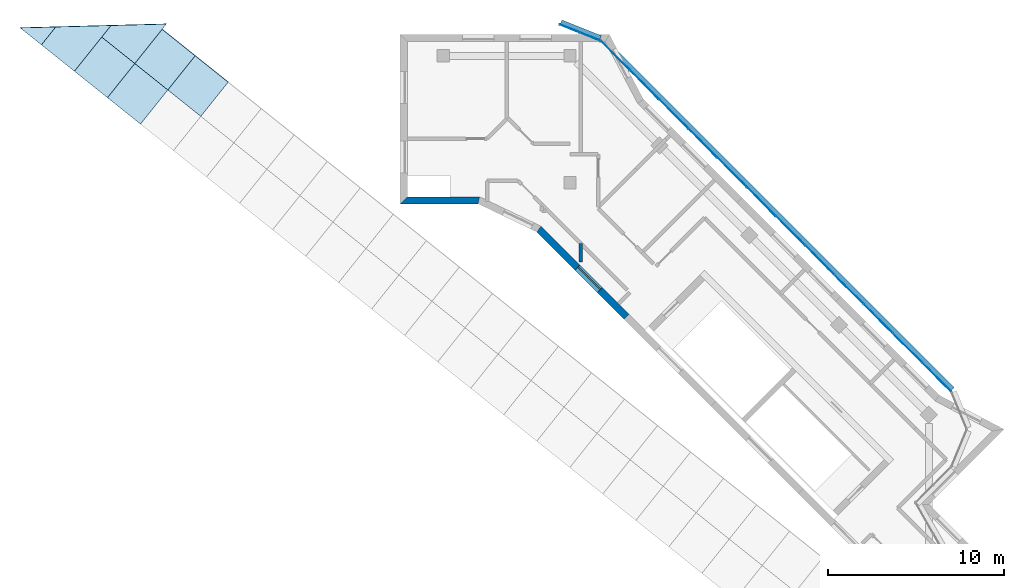
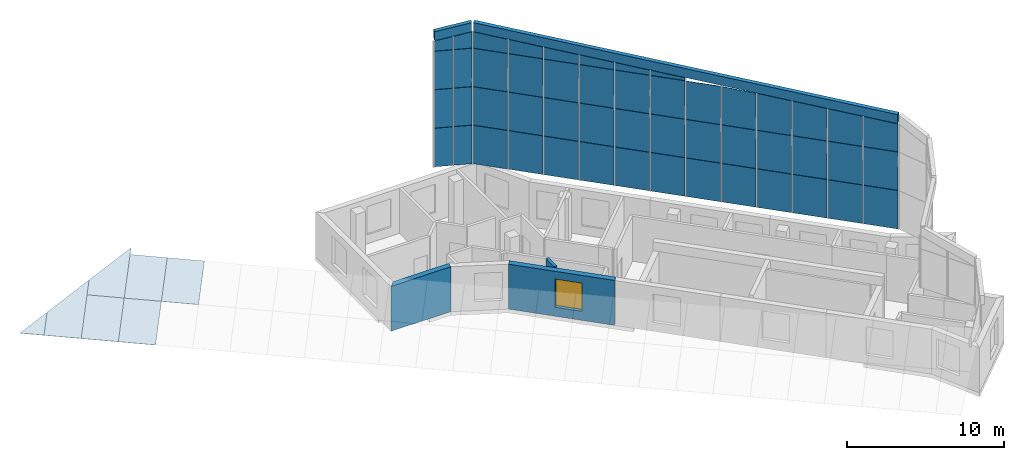
# One storey, part 7 of 9: 59 plates, 3 walls, 1 window, 1 opening, 2 elements without a shape of their own.
"""IFC4 building model written with IfcOpenShell, lengths in metres."""

from ifc_helpers import new_model, si_unit, direction, frame, frame_2d, origin, place, context, subcontext, project, spatial, polyline, rectangle, outline, extrude, material, layer, layer_set, type_object, element, fill, aggregate, save


model = new_model("IFC4")

# Units and contexts
model_context = context("Model", 3, precision=1e-05, world=origin(), true_north=direction((0.0, 1.0)))
body_context = subcontext(model_context, "Body", "Model", "MODEL_VIEW")
ifc_project = project(units=[si_unit("LENGTHUNIT", "METRE"), si_unit("AREAUNIT", "SQUARE_METRE"), si_unit("VOLUMEUNIT", "CUBIC_METRE"), si_unit("PLANEANGLEUNIT", "RADIAN"), si_unit("MASSUNIT", "GRAM", prefix="KILO")], contexts=[model_context])

# Site, building, storey
site_placement = place(None, origin())
site = spatial("IfcSite", under=ifc_project, at=site_placement, CompositionType="ELEMENT")
building_placement = place(site_placement, origin())
building = spatial("IfcBuilding", under=site, at=building_placement, Name="Windrow Commons", CompositionType="ELEMENT")
storey_placement = place(building_placement, frame((0.0, 0.0, 309.6)))
storey = spatial("IfcBuildingStorey", under=building, at=storey_placement, Name="L84", CompositionType="ELEMENT", Elevation=309.6)

# Plates
ifc_material_1 = material(Name="Precast concrete C40/50", Category="concrete")
ifc_layer_1 = layer(ifc_material_1, 0.3)
ifc_layer_set_1 = layer_set([ifc_layer_1], Name="Crown eave fascia 300")
plate_type_1 = type_object("IfcPlateType", Name="Crown eave fascia 300", PredefinedType="SHEET", material=ifc_layer_set_1)
plate_1_placement = place(storey_placement, frame((78.6354, 73.7518, 13.3242), z_axis=(-0.3704956456, -0.9288342029, 0.0), x_axis=(0.9114587891, -0.3635648983, 0.1925186758)))
element("IfcPlate", 1, at=plate_1_placement, inside=storey, type_object=plate_type_1, Name="Crown eave fascia", PredefinedType="SHEET", context=body_context, shape_type="SweptSolid", body=[
    extrude(outline(polyline([(0.0, 0.0), (2.4543, 0.0), (2.5891, 0.6869), (0.1348, 0.6869), (0.0, 0.0)])), origin(), (0.0, 0.0, -1.0), 0.3),
])
plate_2_placement = place(storey_placement, frame((80.9542, 72.8056, 13.8028), z_axis=(-0.7071067812, -0.7071067812, 0.0), x_axis=(0.7051532778, -0.7051532778, -0.0742812874)))
element("IfcPlate", 2, at=plate_2_placement, inside=storey, type_object=plate_type_1, Name="Crown eave fascia", PredefinedType="SHEET", context=body_context, shape_type="SweptSolid", body=[
    extrude(outline(polyline([(0.0, 0.0), (28.1336, 0.0), (28.0816, 0.6981), (-0.052, 0.6981), (0.0, 0.0)])), origin(), (0.0, 0.0, -1.0), 0.3),
])
ifc_material_2 = material(Name="Laminated glass in aluminium frame", Category="aluminium")
ifc_layer_2 = layer(ifc_material_2, 0.04)
ifc_layer_set_2 = layer_set([ifc_layer_2], Name="Crown glazing panel 2400x3000")
plate_type_2 = type_object("IfcPlateType", Name="Crown glazing panel 2400x3000", PredefinedType="SHEET", material=ifc_layer_set_2)
plate_3_placement = place(storey_placement, frame((54.8225, 68.1196, 1.3736), z_axis=(-0.349330801, -0.4366576763, 0.8290344174), x_axis=(-0.7808647444, 0.6247001288, 0.0)))
element("IfcPlate", 3, at=plate_3_placement, inside=storey, type_object=plate_type_2, Name="Crown glazing 202", PredefinedType="SHEET", context=body_context, shape_type="SweptSolid", body=[
    extrude(outline(polyline([(0.0, 0.0), (2.4, 0.0), (2.4, -3.0), (0.0, -3.0), (0.0, 0.0)])), origin(), (0.0, 0.0, -1.0), 0.04),
])
plate_4_placement = place(storey_placement, frame((52.9484, 69.6189, 1.3736), z_axis=(-0.3493165936, -0.4366690422, 0.8290344173), x_axis=(-0.7808850696, 0.6246747219, 0.0)))
element("IfcPlate", 4, at=plate_4_placement, inside=storey, type_object=plate_type_2, Name="Crown glazing 203", PredefinedType="SHEET", context=body_context, shape_type="SweptSolid", body=[
    extrude(outline(polyline([(0.0, 0.0), (2.4, 0.0), (2.3999, -3.0), (-0.0001, -3.0), (0.0, 0.0)])), origin(), (0.0, 0.0, -1.0), 0.04),
])
plate_5_placement = place(storey_placement, frame((50.0182, 73.6399, 2.2568), z_axis=(-0.3493350911, -0.4366328202, 0.8290457011), x_axis=(-0.5179007438, -0.6473759297, -0.559180852)))
element("IfcPlate", 5, at=plate_5_placement, inside=storey, type_object=plate_type_2, Name="Crown glazing 204", PredefinedType="SHEET", context=body_context, shape_type="SweptSolid", body=[
    extrude(outline(polyline([(0.0, 0.0), (1.5795, 0.0), (1.5794, -1.5514), (0.0, 0.0)])), origin(), (0.0, 0.0, -1.0), 0.04),
])
for number, where, z_axis, x_axis, name in (
    (6, (58.2503, 68.5624, 3.0512), (-0.3493164888, -0.4366397863, 0.8290498704), (-0.7808647444, 0.6247001288, 0.0), "Crown glazing 226"),
    (7, (56.3762, 70.0617, 3.0512), (-0.3493164888, -0.4366397863, 0.8290498704), (-0.7808647444, 0.6247001288, 0.0), "Crown glazing 227"),
):
    element("IfcPlate", number, at=place(storey_placement, frame(where, z_axis=z_axis, x_axis=x_axis)), inside=storey, type_object=plate_type_2, Name=name, PredefinedType="SHEET", context=body_context, shape_type="SweptSolid", body=[
        extrude(outline(polyline([(0.0, 0.0), (2.4, 0.0), (2.4, -3.0), (0.0, -3.0), (0.0, 0.0)])), origin(), (0.0, 0.0, -1.0), 0.04),
    ])
plate_6_placement = place(storey_placement, frame((51.0743, 71.1181, 1.3736), z_axis=(-0.3493223249, -0.4366450652, 0.8290446311), x_axis=(-0.7808643045, 0.6247006787, -1.0441e-06)))
element("IfcPlate", 8, at=plate_6_placement, inside=storey, type_object=plate_type_2, Name="Crown glazing 351", PredefinedType="SHEET", context=body_context, shape_type="SweptSolid", body=[
    extrude(outline(polyline([(0.0, 0.0), (2.4, 0.0), (2.4, -1.5795), (0.0001, -4.0228), (0.0, 0.0)])), origin(), (0.0, 0.0, -1.0), 0.04),
])
plate_7_placement = place(storey_placement, frame((54.5021, 71.561, 3.0512), z_axis=(-0.3493137774, -0.4366391701, 0.8290513374), x_axis=(-0.7808793195, 0.6246819096, -1.36472e-05)))
element("IfcPlate", 9, at=plate_7_placement, inside=storey, type_object=plate_type_2, Name="Crown glazing 352", PredefinedType="SHEET", context=body_context, shape_type="SweptSolid", body=[
    extrude(outline(polyline([(0.0, 0.0), (2.4, 0.0), (2.4, -1.0228), (-0.0001, -3.4661), (0.0, 0.0)])), origin(), (0.0, 0.0, -1.0), 0.04),
])

# Curtain wall, plates
ifc_material_3 = material(Name="Laminated glass in anodised aluminium frame", Category="aluminium")
curtain_wall_type = type_object("IfcCurtainWallType", Name="Curtain wall crown terrace screen", PredefinedType="USERDEFINED", material=ifc_material_3)
placement = place(storey_placement, origin())
curtain_wall_1 = element("IfcCurtainWall", 10, at=placement, inside=storey, type_object=curtain_wall_type, Name="Glazed crown screen L84", ObjectType="STICK", PredefinedType="USERDEFINED")
ifc_material_4 = material(Name="Laminated glass in aluminium frame", Category="aluminium")
ifc_layer_3 = layer(ifc_material_4, 0.03)
ifc_layer_set_3 = layer_set([ifc_layer_3], Name="Crown screen glazing 2400")
plate_type_3 = type_object("IfcPlateType", Name="Crown screen glazing 2400", PredefinedType="SHEET", material=ifc_layer_set_3)
plate_8_placement = place(storey_placement, frame((78.6168, 73.7592, 3.5), z_axis=(-0.3704664631, -0.9288458428, 0.0), x_axis=(0.9288458428, -0.3704664631, 0.0)))
plate_8 = element("IfcPlate", 11, at=plate_8_placement, type_object=plate_type_3, Name="Crown screen glazing L84", PredefinedType="SHEET", context=body_context, shape_type="SweptSolid", body=[
    extrude(outline(polyline([(0.0, 0.0), (1.1942, 0.0), (1.1942, 3.0), (0.0, 3.0), (0.0, 0.0)])), origin(), (0.0, 0.0, -1.0), 0.03),
])
plate_9_placement = place(storey_placement, frame((78.6168, 73.7592, 6.52), z_axis=(-0.3704664631, -0.9288458428, 0.0), x_axis=(0.9288458428, -0.3704664631, 0.0)))
plate_9 = element("IfcPlate", 12, at=plate_9_placement, type_object=plate_type_3, Name="Crown screen glazing L84", PredefinedType="SHEET", context=body_context, shape_type="SweptSolid", body=[
    extrude(outline(polyline([(0.0, 0.0), (1.1942, 0.0), (1.1942, 2.98), (0.0, 2.98), (0.0, 0.0)])), origin(), (0.0, 0.0, -1.0), 0.03),
])
plate_10_placement = place(storey_placement, frame((78.6168, 73.7592, 9.52), z_axis=(-0.3704664631, -0.9288458428, 0.0), x_axis=(0.9288458428, -0.3704664631, 0.0)))
plate_10 = element("IfcPlate", 13, at=plate_10_placement, type_object=plate_type_3, Name="Crown screen glazing L84", PredefinedType="SHEET", context=body_context, shape_type="SweptSolid", body=[
    extrude(outline(polyline([(0.0, 0.0), (1.1942, 0.0), (1.1942, 2.98), (0.0, 2.98), (0.0, 0.0)])), origin(), (0.0, 0.0, -1.0), 0.03),
])
plate_11_placement = place(storey_placement, frame((78.6168, 73.7592, 12.52), z_axis=(-0.3704664631, -0.9288458428, 0.0), x_axis=(0.9288458428, -0.3704664631, 0.0)))
plate_11 = element("IfcPlate", 14, at=plate_11_placement, type_object=plate_type_3, Name="Crown screen glazing L84", PredefinedType="SHEET", context=body_context, shape_type="SweptSolid", body=[
    extrude(outline(polyline([(0.0, 0.0), (1.1942, 0.0), (1.1942, 1.0205), (0.0, 0.7744), (0.0, 0.0)])), origin(), (0.0, 0.0, -1.0), 0.03),
])
plate_12_placement = place(storey_placement, frame((79.7817, 73.2946, 3.5), z_axis=(-0.3705387069, -0.9288170254, 0.0), x_axis=(0.9288170254, -0.3705387069, 0.0)))
plate_12 = element("IfcPlate", 15, at=plate_12_placement, type_object=plate_type_3, Name="Crown screen glazing L84", PredefinedType="SHEET", context=body_context, shape_type="SweptSolid", body=[
    extrude(outline(polyline([(0.0, 0.0), (1.1942, 0.0), (1.1942, 3.0), (0.0, 3.0), (0.0, 0.0)])), origin(), (0.0, 0.0, -1.0), 0.03),
])
plate_13_placement = place(storey_placement, frame((79.7817, 73.2946, 6.52), z_axis=(-0.3705387069, -0.9288170254, 0.0), x_axis=(0.9288170254, -0.3705387069, 0.0)))
plate_13 = element("IfcPlate", 16, at=plate_13_placement, type_object=plate_type_3, Name="Crown screen glazing L84", PredefinedType="SHEET", context=body_context, shape_type="SweptSolid", body=[
    extrude(outline(polyline([(0.0, 0.0), (1.1942, 0.0), (1.1942, 2.98), (0.0, 2.98), (0.0, 0.0)])), origin(), (0.0, 0.0, -1.0), 0.03),
])
plate_14_placement = place(storey_placement, frame((79.7817, 73.2946, 9.52), z_axis=(-0.3705387069, -0.9288170254, 0.0), x_axis=(0.9288170254, -0.3705387069, 0.0)))
plate_14 = element("IfcPlate", 17, at=plate_14_placement, type_object=plate_type_3, Name="Crown screen glazing L84", PredefinedType="SHEET", context=body_context, shape_type="SweptSolid", body=[
    extrude(outline(polyline([(0.0, 0.0), (1.1942, 0.0), (1.1942, 2.98), (0.0, 2.98), (0.0, 0.0)])), origin(), (0.0, 0.0, -1.0), 0.03),
])
plate_15_placement = place(storey_placement, frame((79.7817, 73.2946, 12.52), z_axis=(-0.3705387069, -0.9288170254, 0.0), x_axis=(0.9288170254, -0.3705387069, 0.0)))
plate_15 = element("IfcPlate", 18, at=plate_15_placement, type_object=plate_type_3, Name="Crown screen glazing L84", PredefinedType="SHEET", context=body_context, shape_type="SweptSolid", body=[
    extrude(outline(polyline([(0.0, 0.0), (1.1942, 0.0), (1.1942, 1.2665), (0.0, 1.0205), (0.0, 0.0)])), origin(), (0.0, 0.0, -1.0), 0.03),
])
aggregate(curtain_wall_1, [plate_8, plate_9, plate_10, plate_11, plate_12, plate_13, plate_14, plate_15])

curtain_wall_2 = element("IfcCurtainWall", 19, at=placement, inside=storey, type_object=curtain_wall_type, Name="Glazed crown screen L84", ObjectType="STICK", PredefinedType="USERDEFINED")
plate_16_placement = place(storey_placement, frame((80.94, 72.8198, 3.5), z_axis=(-0.7071067812, -0.7071067812, 0.0), x_axis=(0.7071067812, -0.7071067812, 0.0)))
plate_16 = element("IfcPlate", 20, at=plate_16_placement, type_object=plate_type_3, Name="Crown screen glazing L84", PredefinedType="SHEET", context=body_context, shape_type="SweptSolid", body=[
    extrude(outline(polyline([(0.0, 0.0), (2.2864, 0.0), (2.2864, 3.0), (0.0, 3.0), (0.0, 0.0)])), origin(), (0.0, 0.0, -1.0), 0.03),
])
plate_17_placement = place(storey_placement, frame((80.94, 72.8198, 6.52), z_axis=(-0.7071067812, -0.7071067812, 0.0), x_axis=(0.7071067812, -0.7071067812, 0.0)))
plate_17 = element("IfcPlate", 21, at=plate_17_placement, type_object=plate_type_3, Name="Crown screen glazing L84", PredefinedType="SHEET", context=body_context, shape_type="SweptSolid", body=[
    extrude(outline(polyline([(0.0, 0.0), (2.2864, 0.0), (2.2864, 2.98), (0.0, 2.98), (0.0, 0.0)])), origin(), (0.0, 0.0, -1.0), 0.03),
])
plate_18_placement = place(storey_placement, frame((80.94, 72.8198, 9.52), z_axis=(-0.7071067812, -0.7071067812, 0.0), x_axis=(0.7071067812, -0.7071067812, 0.0)))
plate_18 = element("IfcPlate", 22, at=plate_18_placement, type_object=plate_type_3, Name="Crown screen glazing L84", PredefinedType="SHEET", context=body_context, shape_type="SweptSolid", body=[
    extrude(outline(polyline([(0.0, 0.0), (2.2864, 0.0), (2.2864, 2.98), (0.0, 2.98), (0.0, 0.0)])), origin(), (0.0, 0.0, -1.0), 0.03),
])
plate_19_placement = place(storey_placement, frame((80.94, 72.8198, 12.52), z_axis=(-0.7071067812, -0.7071067812, 0.0), x_axis=(0.7071067812, -0.7071067812, 0.0)))
plate_19 = element("IfcPlate", 23, at=plate_19_placement, type_object=plate_type_3, Name="Crown screen glazing L84", PredefinedType="SHEET", context=body_context, shape_type="SweptSolid", body=[
    extrude(outline(polyline([(0.0, 0.0), (2.2864, 0.0), (2.2864, 1.0918), (0.0, 1.2665), (0.0, 0.0)])), origin(), (0.0, 0.0, -1.0), 0.03),
])
plate_20_placement = place(storey_placement, frame((82.5991, 71.1607, 3.5), z_axis=(-0.7071067812, -0.7071067812, 0.0), x_axis=(0.7071067812, -0.7071067812, 0.0)))
plate_20 = element("IfcPlate", 24, at=plate_20_placement, type_object=plate_type_3, Name="Crown screen glazing L84", PredefinedType="SHEET", context=body_context, shape_type="SweptSolid", body=[
    extrude(outline(polyline([(0.0, 0.0), (2.2864, 0.0), (2.2864, 3.0), (0.0, 3.0), (0.0, 0.0)])), origin(), (0.0, 0.0, -1.0), 0.03),
])
plate_21_placement = place(storey_placement, frame((82.5991, 71.1607, 6.52), z_axis=(-0.7071067812, -0.7071067812, 0.0), x_axis=(0.7071067812, -0.7071067812, 0.0)))
plate_21 = element("IfcPlate", 25, at=plate_21_placement, type_object=plate_type_3, Name="Crown screen glazing L84", PredefinedType="SHEET", context=body_context, shape_type="SweptSolid", body=[
    extrude(outline(polyline([(0.0, 0.0), (2.2864, 0.0), (2.2864, 2.98), (0.0, 2.98), (0.0, 0.0)])), origin(), (0.0, 0.0, -1.0), 0.03),
])
plate_22_placement = place(storey_placement, frame((82.5991, 71.1607, 9.52), z_axis=(-0.7071067812, -0.7071067812, 0.0), x_axis=(0.7071067812, -0.7071067812, 0.0)))
plate_22 = element("IfcPlate", 26, at=plate_22_placement, type_object=plate_type_3, Name="Crown screen glazing L84", PredefinedType="SHEET", context=body_context, shape_type="SweptSolid", body=[
    extrude(outline(polyline([(0.0, 0.0), (2.2864, 0.0), (2.2864, 2.98), (0.0, 2.98), (0.0, 0.0)])), origin(), (0.0, 0.0, -1.0), 0.03),
])
plate_23_placement = place(storey_placement, frame((82.5991, 71.1607, 12.52), z_axis=(-0.7071067812, -0.7071067812, 0.0), x_axis=(0.7071067812, -0.7071067812, 0.0)))
plate_23 = element("IfcPlate", 27, at=plate_23_placement, type_object=plate_type_3, Name="Crown screen glazing L84", PredefinedType="SHEET", context=body_context, shape_type="SweptSolid", body=[
    extrude(outline(polyline([(0.0, 0.0), (2.2864, 0.0), (2.2864, 0.917), (0.0, 1.0918), (0.0, 0.0)])), origin(), (0.0, 0.0, -1.0), 0.03),
])
plate_24_placement = place(storey_placement, frame((84.2582, 69.5015, 3.5), z_axis=(-0.7070849113, -0.7071286504, 0.0), x_axis=(0.7071286504, -0.7070849113, 0.0)))
plate_24 = element("IfcPlate", 28, at=plate_24_placement, type_object=plate_type_3, Name="Crown screen glazing L84", PredefinedType="SHEET", context=body_context, shape_type="SweptSolid", body=[
    extrude(outline(polyline([(0.0, 0.0), (2.2863, 0.0), (2.2863, 3.0), (0.0, 3.0), (0.0, 0.0)])), origin(), (0.0, 0.0, -1.0), 0.03),
])
plate_25_placement = place(storey_placement, frame((84.2582, 69.5015, 6.52), z_axis=(-0.7070849113, -0.7071286504, 0.0), x_axis=(0.7071286504, -0.7070849113, 0.0)))
plate_25 = element("IfcPlate", 29, at=plate_25_placement, type_object=plate_type_3, Name="Crown screen glazing L84", PredefinedType="SHEET", context=body_context, shape_type="SweptSolid", body=[
    extrude(outline(polyline([(0.0, 0.0), (2.2863, 0.0), (2.2863, 2.98), (0.0, 2.98), (0.0, 0.0)])), origin(), (0.0, 0.0, -1.0), 0.03),
])
plate_26_placement = place(storey_placement, frame((84.2582, 69.5015, 9.52), z_axis=(-0.7070849113, -0.7071286504, 0.0), x_axis=(0.7071286504, -0.7070849113, 0.0)))
plate_26 = element("IfcPlate", 30, at=plate_26_placement, type_object=plate_type_3, Name="Crown screen glazing L84", PredefinedType="SHEET", context=body_context, shape_type="SweptSolid", body=[
    extrude(outline(polyline([(0.0, 0.0), (2.2863, 0.0), (2.2863, 2.98), (0.0, 2.98), (0.0, 0.0)])), origin(), (0.0, 0.0, -1.0), 0.03),
])
plate_27_placement = place(storey_placement, frame((84.2582, 69.5015, 12.52), z_axis=(-0.7070849113, -0.7071286504, 0.0), x_axis=(0.7071286504, -0.7070849113, 0.0)))
plate_27 = element("IfcPlate", 31, at=plate_27_placement, type_object=plate_type_3, Name="Crown screen glazing L84", PredefinedType="SHEET", context=body_context, shape_type="SweptSolid", body=[
    extrude(outline(polyline([(0.0, 0.0), (2.2863, 0.0), (2.2863, 0.7422), (0.0, 0.917), (0.0, 0.0)])), origin(), (0.0, 0.0, -1.0), 0.03),
])
plate_28_placement = place(storey_placement, frame((85.9173, 67.8424, 3.5), z_axis=(-0.7070849113, -0.7071286504, 0.0), x_axis=(0.7071286504, -0.7070849113, 0.0)))
plate_28 = element("IfcPlate", 32, at=plate_28_placement, type_object=plate_type_3, Name="Crown screen glazing L84", PredefinedType="SHEET", context=body_context, shape_type="SweptSolid", body=[
    extrude(outline(polyline([(0.0, 0.0), (2.2863, 0.0), (2.2863, 3.0), (0.0, 3.0), (0.0, 0.0)])), origin(), (0.0, 0.0, -1.0), 0.03),
])
plate_29_placement = place(storey_placement, frame((85.9173, 67.8424, 6.52), z_axis=(-0.7070849113, -0.7071286504, 0.0), x_axis=(0.7071286504, -0.7070849113, 0.0)))
plate_29 = element("IfcPlate", 33, at=plate_29_placement, type_object=plate_type_3, Name="Crown screen glazing L84", PredefinedType="SHEET", context=body_context, shape_type="SweptSolid", body=[
    extrude(outline(polyline([(0.0, 0.0), (2.2863, 0.0), (2.2863, 2.98), (0.0, 2.98), (0.0, 0.0)])), origin(), (0.0, 0.0, -1.0), 0.03),
])
plate_30_placement = place(storey_placement, frame((85.9173, 67.8424, 9.52), z_axis=(-0.7070849113, -0.7071286504, 0.0), x_axis=(0.7071286504, -0.7070849113, 0.0)))
plate_30 = element("IfcPlate", 34, at=plate_30_placement, type_object=plate_type_3, Name="Crown screen glazing L84", PredefinedType="SHEET", context=body_context, shape_type="SweptSolid", body=[
    extrude(outline(polyline([(0.0, 0.0), (2.2863, 0.0), (2.2863, 2.98), (0.0, 2.98), (0.0, 0.0)])), origin(), (0.0, 0.0, -1.0), 0.03),
])
plate_31_placement = place(storey_placement, frame((85.9173, 67.8424, 12.52), z_axis=(-0.7070849113, -0.7071286504, 0.0), x_axis=(0.7071286504, -0.7070849113, 0.0)))
plate_31 = element("IfcPlate", 35, at=plate_31_placement, type_object=plate_type_3, Name="Crown screen glazing L84", PredefinedType="SHEET", context=body_context, shape_type="SweptSolid", body=[
    extrude(outline(polyline([(0.0, 0.0), (2.2863, 0.0), (2.2863, 0.5675), (0.0, 0.7422), (0.0, 0.0)])), origin(), (0.0, 0.0, -1.0), 0.03),
])
plate_32_placement = place(storey_placement, frame((87.5764, 66.1833, 3.5), z_axis=(-0.7070849113, -0.7071286504, 0.0), x_axis=(0.7071286504, -0.7070849113, 0.0)))
plate_32 = element("IfcPlate", 36, at=plate_32_placement, type_object=plate_type_3, Name="Crown screen glazing L84", PredefinedType="SHEET", context=body_context, shape_type="SweptSolid", body=[
    extrude(outline(polyline([(0.0, 0.0), (2.2863, 0.0), (2.2863, 3.0), (0.0, 3.0), (0.0, 0.0)])), origin(), (0.0, 0.0, -1.0), 0.03),
])
plate_33_placement = place(storey_placement, frame((87.5764, 66.1833, 6.52), z_axis=(-0.7070849113, -0.7071286504, 0.0), x_axis=(0.7071286504, -0.7070849113, 0.0)))
plate_33 = element("IfcPlate", 37, at=plate_33_placement, type_object=plate_type_3, Name="Crown screen glazing L84", PredefinedType="SHEET", context=body_context, shape_type="SweptSolid", body=[
    extrude(outline(polyline([(0.0, 0.0), (2.2863, 0.0), (2.2863, 2.98), (0.0, 2.98), (0.0, 0.0)])), origin(), (0.0, 0.0, -1.0), 0.03),
])
plate_34_placement = place(storey_placement, frame((87.5764, 66.1833, 9.52), z_axis=(-0.7070849113, -0.7071286504, 0.0), x_axis=(0.7071286504, -0.7070849113, 0.0)))
plate_34 = element("IfcPlate", 38, at=plate_34_placement, type_object=plate_type_3, Name="Crown screen glazing L84", PredefinedType="SHEET", context=body_context, shape_type="SweptSolid", body=[
    extrude(outline(polyline([(0.0, 0.0), (2.2863, 0.0), (2.2863, 2.98), (0.0, 2.98), (0.0, 0.0)])), origin(), (0.0, 0.0, -1.0), 0.03),
])
plate_35_placement = place(storey_placement, frame((87.5764, 66.1833, 12.52), z_axis=(-0.7070849113, -0.7071286504, 0.0), x_axis=(0.7071286504, -0.7070849113, 0.0)))
plate_35 = element("IfcPlate", 39, at=plate_35_placement, type_object=plate_type_3, Name="Crown screen glazing L84", PredefinedType="SHEET", context=body_context, shape_type="SweptSolid", body=[
    extrude(outline(polyline([(0.0, 0.0), (2.2863, 0.0), (2.2863, 0.3927), (0.0, 0.5675), (0.0, 0.0)])), origin(), (0.0, 0.0, -1.0), 0.03),
])
plate_36_placement = place(storey_placement, frame((89.2355, 64.5242, 3.5), z_axis=(-0.7070849113, -0.7071286504, 0.0), x_axis=(0.7071286504, -0.7070849113, 0.0)))
plate_36 = element("IfcPlate", 40, at=plate_36_placement, type_object=plate_type_3, Name="Crown screen glazing L84", PredefinedType="SHEET", context=body_context, shape_type="SweptSolid", body=[
    extrude(outline(polyline([(0.0, 0.0), (2.2863, 0.0), (2.2863, 3.0), (0.0, 3.0), (0.0, 0.0)])), origin(), (0.0, 0.0, -1.0), 0.03),
])
plate_37_placement = place(storey_placement, frame((89.2355, 64.5242, 6.52), z_axis=(-0.7070849113, -0.7071286504, 0.0), x_axis=(0.7071286504, -0.7070849113, 0.0)))
plate_37 = element("IfcPlate", 41, at=plate_37_placement, type_object=plate_type_3, Name="Crown screen glazing L84", PredefinedType="SHEET", context=body_context, shape_type="SweptSolid", body=[
    extrude(outline(polyline([(0.0, 0.0), (2.2863, 0.0), (2.2863, 2.98), (0.0, 2.98), (0.0, 0.0)])), origin(), (0.0, 0.0, -1.0), 0.03),
])
plate_38_placement = place(storey_placement, frame((89.2355, 64.5242, 9.52), z_axis=(-0.7070849113, -0.7071286504, 0.0), x_axis=(0.7071286504, -0.7070849113, 0.0)))
plate_38 = element("IfcPlate", 42, at=plate_38_placement, type_object=plate_type_3, Name="Crown screen glazing L84", PredefinedType="SHEET", context=body_context, shape_type="SweptSolid", body=[
    extrude(outline(polyline([(0.0, 0.0), (2.2863, 0.0), (2.2863, 2.98), (0.0, 2.98), (0.0, 0.0)])), origin(), (0.0, 0.0, -1.0), 0.03),
])
plate_39_placement = place(storey_placement, frame((89.2355, 64.5242, 12.52), z_axis=(-0.7070849113, -0.7071286504, 0.0), x_axis=(0.7071286504, -0.7070849113, 0.0)))
plate_39 = element("IfcPlate", 43, at=plate_39_placement, type_object=plate_type_3, Name="Crown screen glazing L84", PredefinedType="SHEET", context=body_context, shape_type="SweptSolid", body=[
    extrude(outline(polyline([(0.0, 0.0), (2.2863, 0.0), (2.2863, 0.2179), (0.0, 0.3927), (0.0, 0.0)])), origin(), (0.0, 0.0, -1.0), 0.03),
])
plate_40_placement = place(storey_placement, frame((90.8946, 62.8651, 3.5), z_axis=(-0.7070849113, -0.7071286504, 0.0), x_axis=(0.7071286504, -0.7070849113, 0.0)))
plate_40 = element("IfcPlate", 44, at=plate_40_placement, type_object=plate_type_3, Name="Crown screen glazing L84", PredefinedType="SHEET", context=body_context, shape_type="SweptSolid", body=[
    extrude(outline(polyline([(0.0, 0.0), (2.2863, 0.0), (2.2863, 3.0), (0.0, 3.0), (0.0, 0.0)])), origin(), (0.0, 0.0, -1.0), 0.03),
])
plate_41_placement = place(storey_placement, frame((90.8946, 62.8651, 6.52), z_axis=(-0.7070849113, -0.7071286504, 0.0), x_axis=(0.7071286504, -0.7070849113, 0.0)))
plate_41 = element("IfcPlate", 45, at=plate_41_placement, type_object=plate_type_3, Name="Crown screen glazing L84", PredefinedType="SHEET", context=body_context, shape_type="SweptSolid", body=[
    extrude(outline(polyline([(0.0, 0.0), (2.2863, 0.0), (2.2863, 2.98), (0.0, 2.98), (0.0, 0.0)])), origin(), (0.0, 0.0, -1.0), 0.03),
])
plate_42_placement = place(storey_placement, frame((90.8946, 62.8651, 9.52), z_axis=(-0.7070849113, -0.7071286504, 0.0), x_axis=(0.7071286504, -0.7070849113, 0.0)))
plate_42 = element("IfcPlate", 46, at=plate_42_placement, type_object=plate_type_3, Name="Crown screen glazing L84", PredefinedType="SHEET", context=body_context, shape_type="SweptSolid", body=[
    extrude(outline(polyline([(0.0, 0.0), (2.2863, 0.0), (2.2863, 2.98), (0.0, 2.98), (0.0, 0.0)])), origin(), (0.0, 0.0, -1.0), 0.03),
])
plate_43_placement = place(storey_placement, frame((92.5537, 61.206, 3.5), z_axis=(-0.7071067812, -0.7071067812, 0.0), x_axis=(0.7071067812, -0.7071067812, 0.0)))
plate_43 = element("IfcPlate", 47, at=plate_43_placement, type_object=plate_type_3, Name="Crown screen glazing L84", PredefinedType="SHEET", context=body_context, shape_type="SweptSolid", body=[
    extrude(outline(polyline([(0.0, 0.0), (2.2864, 0.0), (2.2864, 3.0), (0.0, 3.0), (0.0, 0.0)])), origin(), (0.0, 0.0, -1.0), 0.03),
])
plate_44_placement = place(storey_placement, frame((92.5537, 61.206, 6.52), z_axis=(-0.7071067812, -0.7071067812, 0.0), x_axis=(0.7071067812, -0.7071067812, 0.0)))
plate_44 = element("IfcPlate", 48, at=plate_44_placement, type_object=plate_type_3, Name="Crown screen glazing L84", PredefinedType="SHEET", context=body_context, shape_type="SweptSolid", body=[
    extrude(outline(polyline([(0.0, 0.0), (2.2864, 0.0), (2.2864, 2.98), (0.0, 2.98), (0.0, 0.0)])), origin(), (0.0, 0.0, -1.0), 0.03),
])
plate_45_placement = place(storey_placement, frame((92.5537, 61.206, 9.52), z_axis=(-0.7071067812, -0.7071067812, 0.0), x_axis=(0.7071067812, -0.7071067812, 0.0)))
plate_45 = element("IfcPlate", 49, at=plate_45_placement, type_object=plate_type_3, Name="Crown screen glazing L84", PredefinedType="SHEET", context=body_context, shape_type="SweptSolid", body=[
    extrude(outline(polyline([(0.0, 0.0), (2.2864, 0.0), (2.2864, 2.8684), (0.0, 2.98), (0.0, 0.0)])), origin(), (0.0, 0.0, -1.0), 0.03),
])
plate_46_placement = place(storey_placement, frame((94.2129, 59.5469, 3.5), z_axis=(-0.7071286504, -0.7070849113, 0.0), x_axis=(0.7070849113, -0.7071286504, 0.0)))
plate_46 = element("IfcPlate", 50, at=plate_46_placement, type_object=plate_type_3, Name="Crown screen glazing L84", PredefinedType="SHEET", context=body_context, shape_type="SweptSolid", body=[
    extrude(outline(polyline([(0.0, 0.0), (2.2863, 0.0), (2.2863, 3.0), (0.0, 3.0), (0.0, 0.0)])), origin(), (0.0, 0.0, -1.0), 0.03),
])
plate_47_placement = place(storey_placement, frame((94.2129, 59.5469, 6.52), z_axis=(-0.7071286504, -0.7070849113, 0.0), x_axis=(0.7070849113, -0.7071286504, 0.0)))
plate_47 = element("IfcPlate", 51, at=plate_47_placement, type_object=plate_type_3, Name="Crown screen glazing L84", PredefinedType="SHEET", context=body_context, shape_type="SweptSolid", body=[
    extrude(outline(polyline([(0.0, 0.0), (2.2863, 0.0), (2.2863, 2.98), (0.0, 2.98), (0.0, 0.0)])), origin(), (0.0, 0.0, -1.0), 0.03),
])
plate_48_placement = place(storey_placement, frame((94.2129, 59.5469, 9.52), z_axis=(-0.7071286504, -0.7070849113, 0.0), x_axis=(0.7070849113, -0.7071286504, 0.0)))
plate_48 = element("IfcPlate", 52, at=plate_48_placement, type_object=plate_type_3, Name="Crown screen glazing L84", PredefinedType="SHEET", context=body_context, shape_type="SweptSolid", body=[
    extrude(outline(polyline([(0.0, 0.0), (2.2863, 0.0), (2.2863, 2.6936), (0.0, 2.8684), (0.0, 0.0)])), origin(), (0.0, 0.0, -1.0), 0.03),
])
plate_49_placement = place(storey_placement, frame((95.872, 57.8878, 3.5), z_axis=(-0.7071286504, -0.7070849113, 0.0), x_axis=(0.7070849113, -0.7071286504, 0.0)))
plate_49 = element("IfcPlate", 53, at=plate_49_placement, type_object=plate_type_3, Name="Crown screen glazing L84", PredefinedType="SHEET", context=body_context, shape_type="SweptSolid", body=[
    extrude(outline(polyline([(0.0, 0.0), (2.2863, 0.0), (2.2863, 3.0), (0.0, 3.0), (0.0, 0.0)])), origin(), (0.0, 0.0, -1.0), 0.03),
])
plate_50_placement = place(storey_placement, frame((95.872, 57.8878, 6.52), z_axis=(-0.7071286504, -0.7070849113, 0.0), x_axis=(0.7070849113, -0.7071286504, 0.0)))
plate_50 = element("IfcPlate", 54, at=plate_50_placement, type_object=plate_type_3, Name="Crown screen glazing L84", PredefinedType="SHEET", context=body_context, shape_type="SweptSolid", body=[
    extrude(outline(polyline([(0.0, 0.0), (2.2863, 0.0), (2.2863, 2.98), (0.0, 2.98), (0.0, 0.0)])), origin(), (0.0, 0.0, -1.0), 0.03),
])
plate_51_placement = place(storey_placement, frame((95.872, 57.8878, 9.52), z_axis=(-0.7071286504, -0.7070849113, 0.0), x_axis=(0.7070849113, -0.7071286504, 0.0)))
plate_51 = element("IfcPlate", 55, at=plate_51_placement, type_object=plate_type_3, Name="Crown screen glazing L84", PredefinedType="SHEET", context=body_context, shape_type="SweptSolid", body=[
    extrude(outline(polyline([(0.0, 0.0), (2.2863, 0.0), (2.2863, 2.5188), (0.0, 2.6936), (0.0, 0.0)])), origin(), (0.0, 0.0, -1.0), 0.03),
])
plate_52_placement = place(storey_placement, frame((97.5311, 56.2287, 3.5), z_axis=(-0.7071286504, -0.7070849113, 0.0), x_axis=(0.7070849113, -0.7071286504, 0.0)))
plate_52 = element("IfcPlate", 56, at=plate_52_placement, type_object=plate_type_3, Name="Crown screen glazing L84", PredefinedType="SHEET", context=body_context, shape_type="SweptSolid", body=[
    extrude(outline(polyline([(0.0, 0.0), (2.2863, 0.0), (2.2863, 3.0), (0.0, 3.0), (0.0, 0.0)])), origin(), (0.0, 0.0, -1.0), 0.03),
])
plate_53_placement = place(storey_placement, frame((97.5311, 56.2287, 6.52), z_axis=(-0.7071286504, -0.7070849113, 0.0), x_axis=(0.7070849113, -0.7071286504, 0.0)))
plate_53 = element("IfcPlate", 57, at=plate_53_placement, type_object=plate_type_3, Name="Crown screen glazing L84", PredefinedType="SHEET", context=body_context, shape_type="SweptSolid", body=[
    extrude(outline(polyline([(0.0, 0.0), (2.2863, 0.0), (2.2863, 2.98), (0.0, 2.98), (0.0, 0.0)])), origin(), (0.0, 0.0, -1.0), 0.03),
])
plate_54_placement = place(storey_placement, frame((97.5311, 56.2287, 9.52), z_axis=(-0.7071286504, -0.7070849113, 0.0), x_axis=(0.7070849113, -0.7071286504, 0.0)))
plate_54 = element("IfcPlate", 58, at=plate_54_placement, type_object=plate_type_3, Name="Crown screen glazing L84", PredefinedType="SHEET", context=body_context, shape_type="SweptSolid", body=[
    extrude(outline(polyline([(0.0, 0.0), (2.2863, 0.0), (2.2863, 2.3441), (0.0, 2.5188), (0.0, 0.0)])), origin(), (0.0, 0.0, -1.0), 0.03),
])
plate_55_placement = place(storey_placement, frame((99.1902, 54.5696, 3.5), z_axis=(-0.7071286504, -0.7070849113, 0.0), x_axis=(0.7070849113, -0.7071286504, 0.0)))
plate_55 = element("IfcPlate", 59, at=plate_55_placement, type_object=plate_type_3, Name="Crown screen glazing L84", PredefinedType="SHEET", context=body_context, shape_type="SweptSolid", body=[
    extrude(outline(polyline([(0.0, 0.0), (2.2863, 0.0), (2.2863, 3.0), (0.0, 3.0), (0.0, 0.0)])), origin(), (0.0, 0.0, -1.0), 0.03),
])
plate_56_placement = place(storey_placement, frame((99.1902, 54.5696, 6.52), z_axis=(-0.7071286504, -0.7070849113, 0.0), x_axis=(0.7070849113, -0.7071286504, 0.0)))
plate_56 = element("IfcPlate", 60, at=plate_56_placement, type_object=plate_type_3, Name="Crown screen glazing L84", PredefinedType="SHEET", context=body_context, shape_type="SweptSolid", body=[
    extrude(outline(polyline([(0.0, 0.0), (2.2863, 0.0), (2.2863, 2.98), (0.0, 2.98), (0.0, 0.0)])), origin(), (0.0, 0.0, -1.0), 0.03),
])
plate_57_placement = place(storey_placement, frame((99.1902, 54.5696, 9.52), z_axis=(-0.7071286504, -0.7070849113, 0.0), x_axis=(0.7070849113, -0.7071286504, 0.0)))
plate_57 = element("IfcPlate", 61, at=plate_57_placement, type_object=plate_type_3, Name="Crown screen glazing L84", PredefinedType="SHEET", context=body_context, shape_type="SweptSolid", body=[
    extrude(outline(polyline([(0.0, 0.0), (2.2863, 0.0), (2.2863, 2.1693), (0.0, 2.3441), (0.0, 0.0)])), origin(), (0.0, 0.0, -1.0), 0.03),
])
aggregate(curtain_wall_2, [plate_16, plate_17, plate_18, plate_19, plate_20, plate_21, plate_22, plate_23, plate_24, plate_25, plate_26, plate_27, plate_28, plate_29, plate_30, plate_31, plate_32, plate_33, plate_34, plate_35, plate_36, plate_37, plate_38, plate_39, plate_40, plate_41, plate_42, plate_43, plate_44, plate_45, plate_46, plate_47, plate_48, plate_49, plate_50, plate_51, plate_52, plate_53, plate_54, plate_55, plate_56, plate_57])

# Walls
ifc_material_5 = material(Name="Blockwork partition", Category="masonry")
ifc_layer_4 = layer(ifc_material_5, 0.2)
ifc_layer_set_4 = layer_set([ifc_layer_4], Name="IW-PARTY-200")
wall_type_1 = type_object("IfcWallType", Name="IW-PARTY-200", PredefinedType="PARTITIONING", material=ifc_layer_set_4)
wall_1_placement = place(storey_placement, frame((79.8, 60.2984, 0.0), z_axis=(0.0, 0.0, 1.0), x_axis=(0.0, 1.0, 0.0)))
element("IfcWall", 62, at=wall_1_placement, inside=storey, type_object=wall_type_1, Name="W-L84-W025", PredefinedType="PARTITIONING", context=body_context, shape_type="SweptSolid", body=[
    extrude(rectangle(XDim=1.0616, YDim=0.2, at=frame_2d((0.5308, 0.0))), origin(), (0.0, 0.0, 1.0), 3.5),
])
ifc_material_6 = material(Name="Standing seam zinc cladding on insulated masonry backing", Category="masonry")
ifc_layer_5 = layer(ifc_material_6, 0.4)
ifc_layer_set_5 = layer_set([ifc_layer_5], Name="Zinc clad crown wall 400")
wall_type_2 = type_object("IfcWallType", Name="Zinc clad crown wall 400", PredefinedType="SOLIDWALL", material=ifc_layer_set_5)
wall_2_placement = place(storey_placement, frame((69.767, 63.8, 0.0), z_axis=(0.0, 0.0, 1.0), x_axis=(1.0, 0.0, 0.0)))
element("IfcWall", 63, at=wall_2_placement, inside=storey, type_object=wall_type_2, Name="Brick facade wall L84 10", PredefinedType="SOLIDWALL", context=body_context, shape_type="SweptSolid", body=[
    extrude(outline(polyline([(-0.2, -0.2), (4.2141, -0.2), (4.305, 0.2), (0.2, 0.2), (-0.2, -0.2)])), origin(), (0.0, 0.0, 1.0), 3.5),
])

# Wall, opening, window
wall_3_placement = place(storey_placement, frame((77.4395, 62.1639, 0.0), z_axis=(0.0, 0.0, 1.0), x_axis=(0.7071067812, -0.7071067812, 0.0)))
wall_3 = element("IfcWall", 64, at=wall_3_placement, inside=storey, type_object=wall_type_2, Name="Brick facade wall L84 12", PredefinedType="SOLIDWALL", context=body_context, shape_type="SweptSolid", body=[
    extrude(outline(polyline([(0.0342, -0.2), (7.0243, -0.2), (7.0243, 0.2), (-0.0342, 0.2), (0.0342, -0.2)])), origin(), (0.0, 0.0, 1.0), 3.5),
])
opening_placement = place(wall_3_placement, frame((3.0897, 0.0, 0.7)))
opening = element("IfcOpeningElement", 65, at=opening_placement, cuts=wall_3, Name="Opening W6", PredefinedType="OPENING", context=body_context, shape_type="SweptSolid", body=[
    extrude(rectangle(XDim=1.8, YDim=2.2, at=frame_2d((0.9, 1.1))), frame((0.0, 0.21, 0.0), z_axis=(0.0, -1.0, 0.0), x_axis=(1.0, 0.0, 0.0)), (0.0, 0.0, 1.0), 0.42),
])
ifc_material_7 = material(Name="Clear float glass in anodised aluminium frame", Category="aluminium")
window_type = type_object("IfcWindowType", Name="Window W6 crown 1800x2200", PartitioningType="SINGLE_PANEL", PredefinedType="WINDOW", material=ifc_material_7)
window_placement = place(opening_placement, origin())
window = element("IfcWindow", 66, at=window_placement, inside=storey, type_object=window_type, Name="Window L84 12.1", OverallHeight=2.2, OverallWidth=1.8, PartitioningType="SINGLE_PANEL", PredefinedType="WINDOW", context=body_context, shape_type="SweptSolid", body=[
    extrude(rectangle(XDim=1.8, YDim=2.2, at=frame_2d((0.9, 1.1))), frame((0.0, 0.08, 0.0), z_axis=(0.0, -1.0, 0.0), x_axis=(1.0, 0.0, 0.0)), (0.0, 0.0, 1.0), 0.06),
])
fill(opening, window)

save(model, "model.ifc")
